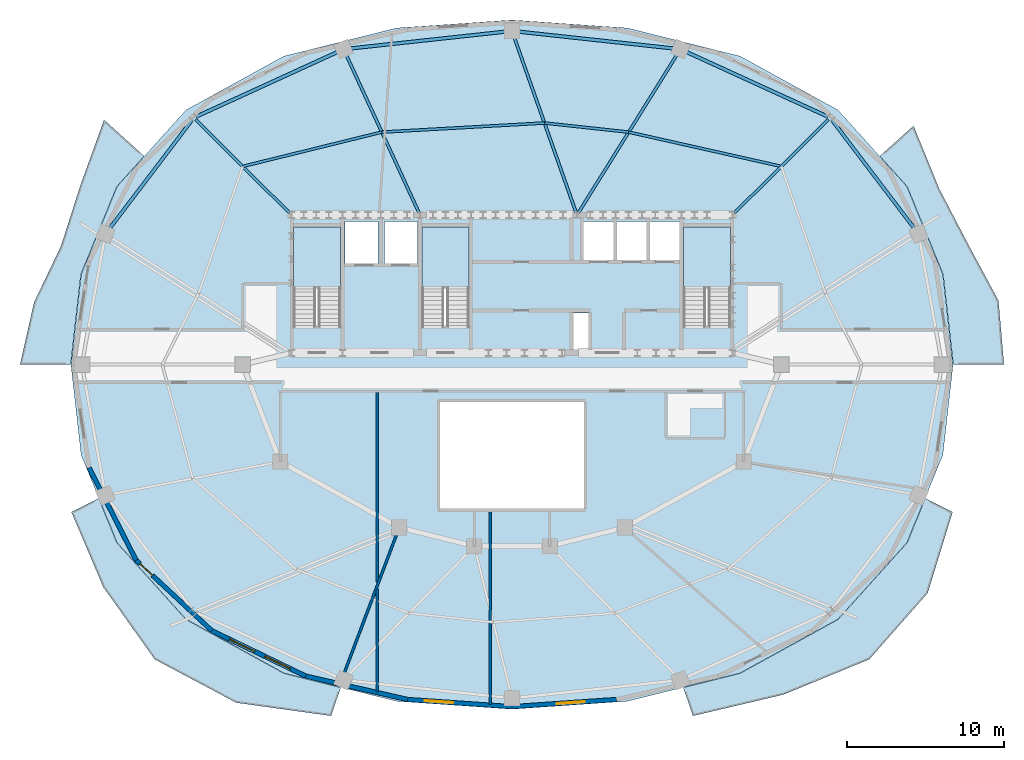
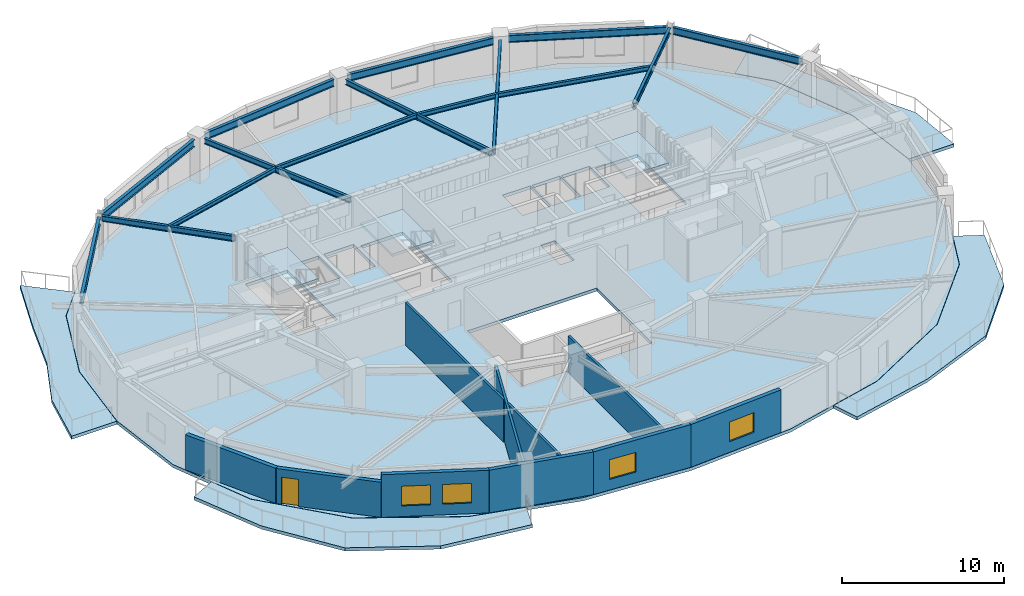
# One storey, part 3 of 11: 15 beams, 10 walls, 8 slabs, 4 windows, 1 door, 5 openings, 3 elements without a shape of their own.
"""IFC4 building model written with IfcOpenShell, lengths in metres."""

from ifc_helpers import new_model, si_unit, direction, frame, frame_2d, origin, origin_2d, place, context, subcontext, project, spatial, polyline, rectangle, i_section, outline, extrude, material, layer, layer_set, material_profile, profile_set, type_object, element, fill, aggregate, save


model = new_model("IFC4")

# Units and contexts
model_context = context("Model", 3, precision=1e-05, world=origin(), true_north=direction((0.0, 1.0)))
body_context = subcontext(model_context, "Body", "Model", "MODEL_VIEW")
ifc_project = project(units=[si_unit("LENGTHUNIT", "METRE"), si_unit("AREAUNIT", "SQUARE_METRE"), si_unit("VOLUMEUNIT", "CUBIC_METRE"), si_unit("PLANEANGLEUNIT", "RADIAN"), si_unit("MASSUNIT", "GRAM", prefix="KILO")], contexts=[model_context])

# Site, building, storey
site_placement = place(None, origin())
site = spatial("IfcSite", under=ifc_project, at=site_placement, CompositionType="ELEMENT")
building_placement = place(site_placement, origin())
building = spatial("IfcBuilding", under=site, at=building_placement, Name="Haldorwick Loom Tower", CompositionType="ELEMENT")
storey_placement = place(building_placement, frame((0.0, 0.0, 227.10009765625)))
storey = spatial("IfcBuildingStorey", under=building, at=storey_placement, Name="L61", CompositionType="ELEMENT", Elevation=227.10009765625)

# Beams
ifc_material_1 = material(Name="Steel CSA G40.21 350W", Category="steel")
ifc_material_profile_1 = material_profile(ifc_material_1, i_section(OverallWidth=0.166015625, OverallDepth=0.31298828125, WebThickness=0.006591796875, FlangeThickness=0.01123046875, at=origin_2d()), Name="W310X45", Category="steel")
ifc_profile_set_1 = profile_set([ifc_material_profile_1], Name="Steel CSA G40.21 350W")
beam_type_1 = type_object("IfcBeamType", Name="STR-BM-J310", PredefinedType="JOIST", material=ifc_profile_set_1)
beam_1_placement = place(storey_placement, frame((53.19384765625, 38.657470703125, 3.053466796875), z_axis=(-0.975700785876, 0.219107225898, 0.0), x_axis=(-0.219107225898, -0.975700785876, 0.0)))
element("IfcBeam", 1, at=beam_1_placement, inside=storey, type_object=beam_type_1, Name="L61 Mid-Bay Secondary Joist 3", PredefinedType="JOIST", context=body_context, shape_type="SweptSolid", body=[
    extrude(i_section(OverallWidth=0.166015625, OverallDepth=0.31298828125, WebThickness=0.006591796875, FlangeThickness=0.01123046875, at=origin_2d()), origin(), (0.0, 0.0, 1.0), 9.98486328125),
])
beam_2_placement = place(storey_placement, frame((43.45166015625, 40.84521484375, 3.053466796875), z_axis=(-0.994187082722, 0.107666357549, 0.0), x_axis=(-0.107666357549, -0.994187082722, 0.0)))
element("IfcBeam", 2, at=beam_2_placement, inside=storey, type_object=beam_type_1, Name="L61 Mid-Bay Secondary Joist 4", PredefinedType="JOIST", context=body_context, shape_type="SweptSolid", body=[
    extrude(i_section(OverallWidth=0.166015625, OverallDepth=0.31298828125, WebThickness=0.006591796875, FlangeThickness=0.01123046875, at=origin_2d()), origin(), (0.0, 0.0, 1.0), 5.408203125),
])
beam_3_placement = place(storey_placement, frame((38.074951171875, 41.427490234375, 3.053466796875), z_axis=(-0.998432354117, -0.05597172726, 0.0), x_axis=(0.05597172726, -0.998432354117, 0.0)))
element("IfcBeam", 3, at=beam_3_placement, inside=storey, type_object=beam_type_1, Name="L61 Mid-Bay Secondary Joist 5", PredefinedType="JOIST", context=body_context, shape_type="SweptSolid", body=[
    extrude(i_section(OverallWidth=0.166015625, OverallDepth=0.31298828125, WebThickness=0.006591796875, FlangeThickness=0.01123046875, at=origin_2d()), origin(), (0.0, 0.0, 1.0), 10.403076171875),
])
beam_4_placement = place(storey_placement, frame((27.688232421875, 40.84521484375, 3.053466796875), z_axis=(-0.970979703726, -0.239161901132, 0.0), x_axis=(0.239161901132, -0.970979703726, 0.0)))
element("IfcBeam", 4, at=beam_4_placement, inside=storey, type_object=beam_type_1, Name="L61 Mid-Bay Secondary Joist 6", PredefinedType="JOIST", context=body_context, shape_type="SweptSolid", body=[
    extrude(i_section(OverallWidth=0.166015625, OverallDepth=0.31298828125, WebThickness=0.006591796875, FlangeThickness=0.01123046875, at=origin_2d()), origin(), (0.0, 0.0, 1.0), 9.1474609375),
])
ifc_material_profile_2 = material_profile(ifc_material_1, i_section(OverallWidth=0.179931640625, OverallDepth=0.4130859375, WebThickness=0.009765625, FlangeThickness=0.01611328125, at=origin_2d()), Name="W410X74", Category="steel")
ifc_profile_set_2 = profile_set([ifc_material_profile_2], Name="Steel CSA G40.21 350W")
beam_type_2 = type_object("IfcBeamType", Name="STR-BM-J410", PredefinedType="JOIST", material=ifc_profile_set_2)
beam_5_placement = place(storey_placement, frame((50.1962890625, 35.675537109375, 3.00341796875), z_axis=(0.708952100153, 0.70525663392, 0.0), x_axis=(-0.70525663392, 0.708952100153, 0.0)))
element("IfcBeam", 5, at=beam_5_placement, inside=storey, type_object=beam_type_2, Name="L61 Radial Floor Girder 3", PredefinedType="JOIST", context=body_context, shape_type="SweptSolid", body=[
    extrude(i_section(OverallWidth=0.179931640625, OverallDepth=0.4130859375, WebThickness=0.009765625, FlangeThickness=0.01611328125, at=origin_2d()), origin(), (0.0, 0.0, 1.0), 8.456298828125),
])
beam_6_placement = place(storey_placement, frame((40.244140625, 35.700927734375, 3.00341796875), z_axis=(0.529096919652, 0.848561400027, 0.0), x_axis=(-0.848561400027, 0.529096919652, 0.0)))
element("IfcBeam", 6, at=beam_6_placement, inside=storey, type_object=beam_type_2, Name="L61 Radial Floor Girder 4", PredefinedType="JOIST", context=body_context, shape_type="SweptSolid", body=[
    extrude(i_section(OverallWidth=0.179931640625, OverallDepth=0.4130859375, WebThickness=0.009765625, FlangeThickness=0.01611328125, at=origin_2d()), origin(), (0.0, 0.0, 1.0), 11.827880859375),
])
beam_7_placement = place(storey_placement, frame((40.0908203125, 35.7177734375, 3.00341796875), z_axis=(-0.332900112782, 0.942962096221, 0.0), x_axis=(-0.942962096221, -0.332900112782, 0.0)))
element("IfcBeam", 7, at=beam_7_placement, inside=storey, type_object=beam_type_2, Name="L61 Radial Floor Girder 5", PredefinedType="JOIST", context=body_context, shape_type="SweptSolid", body=[
    extrude(i_section(OverallWidth=0.179931640625, OverallDepth=0.4130859375, WebThickness=0.009765625, FlangeThickness=0.01611328125, at=origin_2d()), origin(), (0.0, 0.0, 1.0), 11.813232421875),
])
beam_8_placement = place(storey_placement, frame((30.055419921875, 35.711669921875, 3.00341796875), z_axis=(-0.418729078283, 0.908111204094, 0.0), x_axis=(-0.908111204094, -0.418729078283, 0.0)))
element("IfcBeam", 8, at=beam_8_placement, inside=storey, type_object=beam_type_2, Name="L61 Radial Floor Girder 6", PredefinedType="JOIST", context=body_context, shape_type="SweptSolid", body=[
    extrude(i_section(OverallWidth=0.179931640625, OverallDepth=0.4130859375, WebThickness=0.009765625, FlangeThickness=0.01611328125, at=origin_2d()), origin(), (0.0, 0.0, 1.0), 11.00927734375),
])
beam_9_placement = place(storey_placement, frame((21.8037109375, 35.675537109375, 3.00341796875), z_axis=(-0.708952100153, 0.70525663392, 0.0), x_axis=(-0.70525663392, -0.708952100153, 0.0)))
element("IfcBeam", 9, at=beam_9_placement, inside=storey, type_object=beam_type_2, Name="L61 Radial Floor Girder 7", PredefinedType="JOIST", context=body_context, shape_type="SweptSolid", body=[
    extrude(i_section(OverallWidth=0.179931640625, OverallDepth=0.4130859375, WebThickness=0.009765625, FlangeThickness=0.01611328125, at=origin_2d()), origin(), (0.0, 0.0, 1.0), 8.456298828125),
])
ifc_material_profile_3 = material_profile(ifc_material_1, i_section(OverallWidth=0.2119140625, OverallDepth=0.5439453125, WebThickness=0.01318359375, FlangeThickness=0.021240234375, at=origin_2d()), Name="W530X123", Category="steel")
ifc_profile_set_3 = profile_set([ifc_material_profile_3], Name="Steel CSA G40.21 350W")
beam_type_3 = type_object("IfcBeamType", Name="STR-BM-SP530", PredefinedType="SPANDREL", material=ifc_profile_set_3)
beam_10_placement = place(storey_placement, frame((61.673583984375, 34.720703125, 2.93798828125), z_axis=(-0.605253156055, 0.796033050247, 0.0), x_axis=(-0.796033050247, -0.605253156055, 0.0)))
element("IfcBeam", 10, at=beam_10_placement, inside=storey, type_object=beam_type_3, Name="L61 Perimeter Spandrel 2", PredefinedType="SPANDREL", context=body_context, shape_type="SweptSolid", body=[
    extrude(i_section(OverallWidth=0.2119140625, OverallDepth=0.5439453125, WebThickness=0.01318359375, FlangeThickness=0.021240234375, at=origin_2d()), origin(), (0.0, 0.0, 1.0), 8.671142578125),
])
beam_11_placement = place(storey_placement, frame((56.15576171875, 41.839111328125, 2.93798828125), z_axis=(-0.909350907904, 0.41602995841, 0.0), x_axis=(-0.41602995841, -0.909350907904, 0.0)))
element("IfcBeam", 11, at=beam_11_placement, inside=storey, type_object=beam_type_3, Name="L61 Perimeter Spandrel 3", PredefinedType="SPANDREL", context=body_context, shape_type="SweptSolid", body=[
    extrude(i_section(OverallWidth=0.2119140625, OverallDepth=0.5439453125, WebThickness=0.01318359375, FlangeThickness=0.021240234375, at=origin_2d()), origin(), (0.0, 0.0, 1.0), 9.86474609375),
])
for number, where, z_axis, x_axis, name in (
    (12, (46.28125, 46.191650390625, 2.93798828125), (-0.994187378218, 0.107663628917, 0.0), (-0.107663628917, -0.994187378218, 0.0), "L61 Perimeter Spandrel 4"),
    (13, (35.52783203125, 47.25390625, 2.93798828125), (-0.994187378218, -0.107663628917, 0.0), (0.107663628917, -0.994187378218, 0.0), "L61 Perimeter Spandrel 5"),
):
    element("IfcBeam", number, at=place(storey_placement, frame(where, z_axis=z_axis, x_axis=x_axis)), inside=storey, type_object=beam_type_3, Name=name, PredefinedType="SPANDREL", context=body_context, shape_type="SweptSolid", body=[
        extrude(i_section(OverallWidth=0.2119140625, OverallDepth=0.5439453125, WebThickness=0.01318359375, FlangeThickness=0.021240234375, at=origin_2d()), origin(), (0.0, 0.0, 1.0), 9.866455078125),
    ])
beam_12_placement = place(storey_placement, frame((24.814697265625, 45.943115234375, 2.93798828125), z_axis=(-0.909350907904, -0.41602995841, 0.0), x_axis=(0.41602995841, -0.909350907904, 0.0)))
element("IfcBeam", 14, at=beam_12_placement, inside=storey, type_object=beam_type_3, Name="L61 Perimeter Spandrel 6", PredefinedType="SPANDREL", context=body_context, shape_type="SweptSolid", body=[
    extrude(i_section(OverallWidth=0.2119140625, OverallDepth=0.5439453125, WebThickness=0.01318359375, FlangeThickness=0.021240234375, at=origin_2d()), origin(), (0.0, 0.0, 1.0), 9.86474609375),
])
beam_13_placement = place(storey_placement, frame((15.57470703125, 41.623291015625, 2.93798828125), z_axis=(-0.605253156055, -0.796033050247, 0.0), x_axis=(0.796033050247, -0.605253156055, 0.0)))
element("IfcBeam", 15, at=beam_13_placement, inside=storey, type_object=beam_type_3, Name="L61 Perimeter Spandrel 7", PredefinedType="SPANDREL", context=body_context, shape_type="SweptSolid", body=[
    extrude(i_section(OverallWidth=0.2119140625, OverallDepth=0.5439453125, WebThickness=0.01318359375, FlangeThickness=0.021240234375, at=origin_2d()), origin(), (0.0, 0.0, 1.0), 8.671142578125),
])

# Slabs
ifc_material_2 = material(Name="Concrete C40 (40 MPa)", Category="concrete")
ifc_layer_1 = layer(ifc_material_2, 0.239990234375, Name="Concrete C40 (40 MPa)", Category="concrete")
ifc_layer_set_1 = layer_set([ifc_layer_1], Name="Concrete C40 (40 MPa)")
slab_type_1 = type_object("IfcSlabType", Name="STR-SLB-BAL240", PredefinedType="FLOOR", material=ifc_layer_set_1)
slab_1_placement = place(storey_placement, frame((0.0, 0.0, -0.239990234375)))
element("IfcSlab", 16, at=slab_1_placement, inside=storey, type_object=slab_type_1, Name="L61 Sinusoidal Balcony Terrace BAL_SE", PredefinedType="FLOOR", context=body_context, shape_type="SweptSolid", body=[
    extrude(outline(polyline([(62.392578125, 17.462646484375), (61.229736328125, 14.62060546875), (61.229248046875, 14.619384765625), (61.228515625, 14.6181640625), (61.227783203125, 14.6171875), (61.22705078125, 14.6162109375), (56.82373046875, 9.72998046875), (56.82275390625, 9.72900390625), (56.8212890625, 9.727783203125), (56.81982421875, 9.72705078125), (50.565673828125, 6.287109375), (50.564453125, 6.286376953125), (50.563232421875, 6.285888671875), (50.56201171875, 6.285400390625), (46.935791015625, 5.380126953125), (47.552734375, 3.570068359375), (53.33056640625, 4.9296875), (58.8134765625, 7.178955078125), (62.54052734375, 11.405029296875), (64.133056640625, 16.580810546875), (62.392578125, 17.462646484375)])), origin(), (0.0, 0.0, 1.0), 0.239990234375),
])
slab_2_placement = place(storey_placement, frame((0.0, 0.0, -0.239990234375)))
element("IfcSlab", 17, at=slab_2_placement, inside=storey, type_object=slab_type_1, Name="L61 Sinusoidal Balcony Terrace BAL_SW", PredefinedType="FLOOR", context=body_context, shape_type="SweptSolid", body=[
    extrude(outline(polyline([(25.064208984375, 5.380126953125), (21.43798828125, 6.285400390625), (21.436767578125, 6.285888671875), (21.435546875, 6.286376953125), (21.434326171875, 6.287109375), (15.18017578125, 9.72705078125), (15.1787109375, 9.727783203125), (15.17724609375, 9.72900390625), (15.17626953125, 9.72998046875), (10.77294921875, 14.6162109375), (10.772216796875, 14.6171875), (10.771484375, 14.6181640625), (10.770751953125, 14.619384765625), (10.770263671875, 14.62060546875), (9.607421875, 17.462646484375), (7.866943359375, 16.580810546875), (9.905517578125, 11.78662109375), (13.1865234375, 7.178955078125), (18.397705078125, 4.4091796875), (24.447265625, 3.570068359375), (25.064208984375, 5.380126953125)])), origin(), (0.0, 0.0, 1.0), 0.239990234375),
])
slab_3_placement = place(storey_placement, frame((0.0, 0.0, -0.239990234375)))
element("IfcSlab", 18, at=slab_3_placement, inside=storey, type_object=slab_type_1, Name="L61 Sinusoidal Balcony Terrace BAL_WNW", PredefinedType="FLOOR", context=body_context, shape_type="SweptSolid", body=[
    extrude(outline(polyline([(7.818603515625, 26.0), (7.818603515625, 26.001708984375), (8.472412109375, 31.760986328125), (8.47265625, 31.762451171875), (8.472900390625, 31.763916015625), (8.473388671875, 31.76513671875), (10.770263671875, 37.37939453125), (10.770751953125, 37.380615234375), (10.771484375, 37.3818359375), (10.772216796875, 37.3828125), (10.77294921875, 37.3837890625), (12.51318359375, 39.315185546875), (9.95068359375, 41.6318359375), (8.429443359375, 37.416015625), (7.20166015625, 33.568603515625), (5.4833984375, 29.979736328125), (4.58349609375, 26.0), (7.818603515625, 26.0)])), origin(), (0.0, 0.0, 1.0), 0.239990234375),
])
slab_4_placement = place(storey_placement, frame((0.0, 0.0, -0.239990234375)))
element("IfcSlab", 19, at=slab_4_placement, inside=storey, type_object=slab_type_1, Name="L61 Sinusoidal Balcony Terrace BAL_ENE", PredefinedType="FLOOR", context=body_context, shape_type="SweptSolid", body=[
    extrude(outline(polyline([(59.487060546875, 39.314697265625), (61.22705078125, 37.3837890625), (61.227783203125, 37.3828125), (61.228515625, 37.3818359375), (61.229248046875, 37.380615234375), (61.229736328125, 37.37939453125), (63.526611328125, 31.76513671875), (63.527099609375, 31.763916015625), (63.52734375, 31.762451171875), (63.527587890625, 31.760986328125), (64.181396484375, 26.001708984375), (64.181396484375, 26.0), (67.41650390625, 26.0), (67.06396484375, 30.090576171875), (65.116943359375, 33.701171875), (63.281494140625, 37.227294921875), (61.640380859375, 41.251708984375), (59.487060546875, 39.314697265625)])), origin(), (0.0, 0.0, 1.0), 0.239990234375),
])

# Stair, slab
stair_type = type_object("IfcStairType", Name="STR-STR-CORE", PredefinedType="HALF_TURN_STAIR", material=ifc_material_2)
stair_1_placement = place(storey_placement, origin())
stair_1 = element("IfcStair", 20, at=stair_1_placement, inside=storey, type_object=stair_type, Name="L61 Exit Stair ST-01", PredefinedType="HALF_TURN_STAIR")
ifc_layer_2 = layer(ifc_material_2, 0.199951171875, Name="Concrete C40 (40 MPa)", Category="concrete")
ifc_layer_set_2 = layer_set([ifc_layer_2], Name="Concrete C40 (40 MPa)")
slab_type_2 = type_object("IfcSlabType", Name="STR-SLB-LAND200", PredefinedType="LANDING", material=ifc_layer_set_2)
slab_5_placement = place(storey_placement, frame((0.0, 0.0, 1.52490234375)))
slab_5 = element("IfcSlab", 21, at=slab_5_placement, type_object=slab_type_2, Name="ST-01 landing 1", PredefinedType="LANDING", context=body_context, shape_type="SweptSolid", body=[
    extrude(outline(polyline([(25.050048828125, 30.919921875), (25.050048828125, 34.800048828125), (22.050048828125, 34.800048828125), (22.050048828125, 30.919921875), (25.050048828125, 30.919921875)])), origin(), (0.0, 0.0, 1.0), 0.199951171875),
])
aggregate(stair_1, [slab_5])

stair_2_placement = place(storey_placement, origin())
stair_2 = element("IfcStair", 22, at=stair_2_placement, inside=storey, type_object=stair_type, Name="L61 Exit Stair ST-02", PredefinedType="HALF_TURN_STAIR")
slab_6_placement = place(storey_placement, frame((0.0, 0.0, 1.52490234375)))
slab_6 = element("IfcSlab", 23, at=slab_6_placement, type_object=slab_type_2, Name="ST-02 landing 1", PredefinedType="LANDING", context=body_context, shape_type="SweptSolid", body=[
    extrude(outline(polyline([(49.949951171875, 30.919921875), (49.949951171875, 34.800048828125), (46.949951171875, 34.800048828125), (46.949951171875, 30.919921875), (49.949951171875, 30.919921875)])), origin(), (0.0, 0.0, 1.0), 0.199951171875),
])
aggregate(stair_2, [slab_6])

stair_3_placement = place(storey_placement, origin())
stair_3 = element("IfcStair", 24, at=stair_3_placement, inside=storey, type_object=stair_type, Name="L61 Exit Stair ST-03", PredefinedType="HALF_TURN_STAIR")
slab_7_placement = place(storey_placement, frame((0.0, 0.0, 1.52490234375)))
slab_7 = element("IfcSlab", 25, at=slab_7_placement, type_object=slab_type_2, Name="ST-03 landing 1", PredefinedType="LANDING", context=body_context, shape_type="SweptSolid", body=[
    extrude(outline(polyline([(33.25, 30.919921875), (33.25, 34.800048828125), (30.25, 34.800048828125), (30.25, 30.919921875), (33.25, 30.919921875)])), origin(), (0.0, 0.0, 1.0), 0.199951171875),
])
aggregate(stair_3, [slab_7])

# Slab
ifc_layer_3 = layer(ifc_material_2, 0.239990234375, Name="Concrete C40 (40 MPa)", Category="concrete")
ifc_layer_set_3 = layer_set([ifc_layer_3], Name="Concrete C40 (40 MPa)")
slab_type_3 = type_object("IfcSlabType", Name="STR-SLB-RES240", PredefinedType="FLOOR", material=ifc_layer_set_3)
slab_8_placement = place(storey_placement, frame((0.0, 0.0, -0.239990234375)))
element("IfcSlab", 26, at=slab_8_placement, inside=storey, type_object=slab_type_3, Name="L61 Residential Structural Floor Slab", PredefinedType="FLOOR", context=body_context, shape_type="SweptSolid", body=[
    extrude(outline(polyline([(56.812744140625, 9.739990234375), (61.2158203125, 14.626220703125), (63.5126953125, 20.240478515625), (64.16650390625, 26.0), (63.5126953125, 31.759521484375), (61.2158203125, 37.373779296875), (56.812744140625, 42.260009765625), (50.558349609375, 45.699951171875), (43.3720703125, 47.494384765625), (36.0, 48.0048828125), (28.6279296875, 47.494384765625), (21.441650390625, 45.699951171875), (15.187255859375, 42.260009765625), (10.7841796875, 37.373779296875), (8.4873046875, 31.759521484375), (7.83349609375, 26.0), (8.4873046875, 20.240478515625), (10.7841796875, 14.626220703125), (15.187255859375, 9.739990234375), (21.441650390625, 6.300048828125), (28.6279296875, 4.505615234375), (36.0, 3.9951171875), (43.3720703125, 4.505615234375), (50.558349609375, 6.300048828125), (56.812744140625, 9.739990234375)]), holes=[polyline([(31.39990234375, 16.800048828125), (31.39990234375, 23.60009765625), (40.60009765625, 23.60009765625), (40.60009765625, 16.800048828125), (31.39990234375, 16.800048828125)]), polyline([(40.89990234375, 26.89990234375), (39.89990234375, 26.89990234375), (39.89990234375, 29.300048828125), (40.89990234375, 29.300048828125), (40.89990234375, 26.89990234375)]), polyline([(23.6201171875, 28.39990234375), (22.050048828125, 28.39990234375), (22.050048828125, 34.800048828125), (25.050048828125, 34.800048828125), (25.050048828125, 28.639892578125), (23.6201171875, 28.639892578125), (23.6201171875, 28.39990234375)]), polyline([(30.25, 28.39990234375), (30.25, 34.800048828125), (33.25, 34.800048828125), (33.25, 28.639892578125), (31.820068359375, 28.639892578125), (31.820068359375, 28.39990234375), (30.25, 28.39990234375)]), polyline([(46.949951171875, 28.39990234375), (46.949951171875, 34.800048828125), (49.949951171875, 34.800048828125), (49.949951171875, 28.639892578125), (48.52001953125, 28.639892578125), (48.52001953125, 28.39990234375), (46.949951171875, 28.39990234375)]), polyline([(27.449951171875, 32.449951171875), (25.35009765625, 32.449951171875), (25.35009765625, 35.14990234375), (27.449951171875, 35.14990234375), (27.449951171875, 32.449951171875)]), polyline([(29.949951171875, 32.449951171875), (27.85009765625, 32.449951171875), (27.85009765625, 35.14990234375), (29.949951171875, 35.14990234375), (29.949951171875, 32.449951171875)]), polyline([(42.550048828125, 32.64990234375), (40.550048828125, 32.64990234375), (40.550048828125, 35.14990234375), (42.550048828125, 35.14990234375), (42.550048828125, 32.64990234375)]), polyline([(42.64990234375, 32.64990234375), (42.64990234375, 35.14990234375), (44.64990234375, 35.14990234375), (44.64990234375, 32.64990234375), (42.64990234375, 32.64990234375)]), polyline([(44.75, 32.64990234375), (44.75, 35.14990234375), (46.75, 35.14990234375), (46.75, 32.64990234375), (44.75, 32.64990234375)])]), origin(), (0.0, 0.0, 1.0), 0.239990234375),
])

# Wall
ifc_material_3 = material(Name="Pressed Clay Face Brick and Insulated Masonry Backup Assembly", Category="masonry")
ifc_layer_4 = layer(ifc_material_3, 0.280029296875, Name="Pressed Clay Face Brick and Insulated Masonry Backup Assembly", Category="masonry")
ifc_layer_set_4 = layer_set([ifc_layer_4], Name="Pressed Clay Face Brick and Insulated Masonry Backup Assembly")
wall_type_1 = type_object("IfcWallType", Name="ARC-WL-EXT280", PredefinedType="STANDARD", material=ifc_layer_set_4)
wall_1_placement = place(storey_placement, frame((8.995849609375, 19.415283203125, 0.0), z_axis=(0.0, 0.0, 1.0), x_axis=(0.453032066879, -0.89149422117, 0.0)))
element("IfcWall", 27, at=wall_1_placement, inside=storey, type_object=wall_type_1, Name="L61 Brick Pier and Spandrel Wall 14", PredefinedType="STANDARD", context=body_context, shape_type="SweptSolid", body=[
    extrude(rectangle(XDim=6.618896484375, YDim=0.280029296875, at=frame_2d((3.3095703125, 0.0))), origin(), (0.0, 0.0, 1.0), 2.640869140625),
])

# Wall, opening, door
wall_2_placement = place(storey_placement, frame((11.994384765625, 13.5146484375, 0.0), z_axis=(0.0, 0.0, 1.0), x_axis=(0.731833707499, -0.681483253329, 0.0)))
wall_2 = element("IfcWall", 28, at=wall_2_placement, inside=storey, type_object=wall_type_1, Name="L61 Brick Pier and Spandrel Wall 15", PredefinedType="STANDARD", context=body_context, shape_type="SweptSolid", body=[
    extrude(rectangle(XDim=6.61865234375, YDim=0.280029296875, at=frame_2d((3.309326171875, 0.0))), origin(), (0.0, 0.0, 1.0), 2.640869140625),
])
opening_1_placement = place(wall_2_placement, frame((0.340087890625, 0.0, 0.0)))
opening_1 = element("IfcOpeningElement", 29, at=opening_1_placement, cuts=wall_2, Name="Opening D-BL11", PredefinedType="OPENING", context=body_context, shape_type="SweptSolid", body=[
    extrude(rectangle(XDim=1.080078125, YDim=2.0400390625, at=frame_2d((0.5400390625, 1.02001953125))), frame((0.0, 0.14990234375, 0.0), z_axis=(0.0, -1.0, 0.0), x_axis=(1.0, 0.0, 0.0)), (0.0, 0.0, 1.0), 0.300048828125),
])
ifc_material_4 = material(Name="Thermally Broken Anodized Aluminium Curtain Wall Framing", Category="aluminium")
door_type = type_object("IfcDoorType", Name="ARC-DR-BAL110", OperationType="NOTDEFINED", PredefinedType="DOOR", material=ifc_material_4)
door_placement = place(opening_1_placement, origin())
door = element("IfcDoor", 30, at=door_placement, inside=storey, type_object=door_type, Name="L61 Outdoor Terrace Door SLB-L61-BAL_SW", OperationType="SINGLE_SWING_LEFT", OverallHeight=2.0400390625, OverallWidth=1.080078125, PredefinedType="DOOR", context=body_context, shape_type="SweptSolid", body=[
    extrude(rectangle(XDim=1.080078125, YDim=2.0400390625, at=frame_2d((0.5400390625, 1.02001953125))), frame((0.0, 0.02490234375, 0.0), z_axis=(0.0, -1.0, 0.0), x_axis=(1.0, 0.0, 0.0)), (0.0, 0.0, 1.0), 0.050048828125),
])
fill(opening_1, door)

# Wall, openings, windows
wall_3_placement = place(storey_placement, frame((16.838134765625, 9.004150390625, 0.0), z_axis=(0.0, 0.0, 1.0), x_axis=(0.900371236029, -0.435122554381, 0.0)))
wall_3 = element("IfcWall", 31, at=wall_3_placement, inside=storey, type_object=wall_type_1, Name="L61 Brick Pier and Spandrel Wall 16", PredefinedType="STANDARD", context=body_context, shape_type="SweptSolid", body=[
    extrude(rectangle(XDim=6.6533203125, YDim=0.280029296875, at=frame_2d((3.32666015625, 0.0))), origin(), (0.0, 0.0, 1.0), 3.2099609375),
])
opening_2_placement = place(wall_3_placement, frame((1.234375, 0.0, 0.800048828125)))
opening_2 = element("IfcOpeningElement", 32, at=opening_2_placement, cuts=wall_3, Name="Opening W-01", PredefinedType="OPENING", context=body_context, shape_type="SweptSolid", body=[
    extrude(rectangle(XDim=1.800048828125, YDim=1.47998046875, at=frame_2d((0.89990234375, 0.739990234375))), frame((0.0, 0.14990234375, 0.0), z_axis=(0.0, -1.0, 0.0), x_axis=(1.0, 0.0, 0.0)), (0.0, 0.0, 1.0), 0.300048828125),
])
opening_3_placement = place(wall_3_placement, frame((3.75732421875, 0.0, 0.800048828125)))
opening_3 = element("IfcOpeningElement", 33, at=opening_3_placement, cuts=wall_3, Name="Opening W-01", PredefinedType="OPENING", context=body_context, shape_type="SweptSolid", body=[
    extrude(rectangle(XDim=1.800048828125, YDim=1.47998046875, at=frame_2d((0.89990234375, 0.739990234375))), frame((0.0, 0.14990234375, 0.0), z_axis=(0.0, -1.0, 0.0), x_axis=(1.0, 0.0, 0.0)), (0.0, 0.0, 1.0), 0.300048828125),
])
ifc_material_5 = material(Name="Triple-Glazed Low-E Argon Insulated Glazing Unit", Category="glass")
window_type = type_object("IfcWindowType", Name="ARC-WIN-W180", PartitioningType="SINGLE_PANEL", PredefinedType="WINDOW", material=ifc_material_5)
window_1_placement = place(opening_2_placement, origin())
window_1 = element("IfcWindow", 34, at=window_1_placement, inside=storey, type_object=window_type, Name="L61 Deep-Set Zone 7A Window 16", OverallHeight=1.47998046875, OverallWidth=1.800048828125, PartitioningType="SINGLE_PANEL", PredefinedType="WINDOW", context=body_context, shape_type="SweptSolid", body=[
    extrude(rectangle(XDim=1.800048828125, YDim=1.47998046875, at=frame_2d((0.89990234375, 0.739990234375))), frame((0.0, 0.030029296875, 0.0), z_axis=(0.0, -1.0, 0.0), x_axis=(1.0, 0.0, 0.0)), (0.0, 0.0, 1.0), 0.06005859375),
])
fill(opening_2, window_1)
window_2_placement = place(opening_3_placement, origin())
window_2 = element("IfcWindow", 35, at=window_2_placement, inside=storey, type_object=window_type, Name="L61 Deep-Set Zone 7A Window 16", OverallHeight=1.47998046875, OverallWidth=1.800048828125, PartitioningType="SINGLE_PANEL", PredefinedType="WINDOW", context=body_context, shape_type="SweptSolid", body=[
    extrude(rectangle(XDim=1.800048828125, YDim=1.47998046875, at=frame_2d((0.89990234375, 0.739990234375))), frame((0.0, 0.030029296875, 0.0), z_axis=(0.0, -1.0, 0.0), x_axis=(1.0, 0.0, 0.0)), (0.0, 0.0, 1.0), 0.06005859375),
])
fill(opening_3, window_2)

# Wall
wall_4_placement = place(storey_placement, frame((22.82861328125, 6.109130859375, 0.0), z_axis=(0.0, 0.0, 1.0), x_axis=(0.974557343474, -0.224138315065, 0.0)))
element("IfcWall", 36, at=wall_4_placement, inside=storey, type_object=wall_type_1, Name="L61 Brick Pier and Spandrel Wall 17", PredefinedType="STANDARD", context=body_context, shape_type="SweptSolid", body=[
    extrude(rectangle(XDim=6.676025390625, YDim=0.280029296875, at=frame_2d((3.337890625, 0.0))), origin(), (0.0, 0.0, 1.0), 3.2099609375),
])

# Wall, opening, window
wall_5_placement = place(storey_placement, frame((29.334716796875, 4.61279296875, 0.0), z_axis=(0.0, 0.0, 1.0), x_axis=(0.99764992135, -0.068517402386, 0.0)))
wall_5 = element("IfcWall", 37, at=wall_5_placement, inside=storey, type_object=wall_type_1, Name="L61 Brick Pier and Spandrel Wall 18", PredefinedType="STANDARD", context=body_context, shape_type="SweptSolid", body=[
    extrude(rectangle(XDim=6.680908203125, YDim=0.280029296875, at=frame_2d((3.34033203125, 0.0))), origin(), (0.0, 0.0, 1.0), 3.2099609375),
])
opening_4_placement = place(wall_5_placement, frame((1.104248046875, 0.0, 0.800048828125)))
opening_4 = element("IfcOpeningElement", 38, at=opening_4_placement, cuts=wall_5, Name="Opening W-01", PredefinedType="OPENING", context=body_context, shape_type="SweptSolid", body=[
    extrude(rectangle(XDim=1.800048828125, YDim=1.47998046875, at=frame_2d((0.89990234375, 0.739990234375))), frame((0.0, 0.14990234375, 0.0), z_axis=(0.0, -1.0, 0.0), x_axis=(1.0, 0.0, 0.0)), (0.0, 0.0, 1.0), 0.300048828125),
])
window_3_placement = place(opening_4_placement, origin())
window_3 = element("IfcWindow", 39, at=window_3_placement, inside=storey, type_object=window_type, Name="L61 Deep-Set Zone 7A Window 18", OverallHeight=1.47998046875, OverallWidth=1.800048828125, PartitioningType="SINGLE_PANEL", PredefinedType="WINDOW", context=body_context, shape_type="SweptSolid", body=[
    extrude(rectangle(XDim=1.800048828125, YDim=1.47998046875, at=frame_2d((0.89990234375, 0.739990234375))), frame((0.0, 0.030029296875, 0.0), z_axis=(0.0, -1.0, 0.0), x_axis=(1.0, 0.0, 0.0)), (0.0, 0.0, 1.0), 0.06005859375),
])
fill(opening_4, window_3)

wall_6_placement = place(storey_placement, frame((36.0, 4.155029296875, 0.0), z_axis=(0.0, 0.0, 1.0), x_axis=(0.99764992135, 0.068517402386, 0.0)))
wall_6 = element("IfcWall", 40, at=wall_6_placement, inside=storey, type_object=wall_type_1, Name="L61 Brick Pier and Spandrel Wall 19", PredefinedType="STANDARD", context=body_context, shape_type="SweptSolid", body=[
    extrude(rectangle(XDim=6.680908203125, YDim=0.280029296875, at=frame_2d((3.34033203125, 0.0))), origin(), (0.0, 0.0, 1.0), 3.2099609375),
])
opening_5_placement = place(wall_6_placement, frame((2.860595703125, 0.0, 0.800048828125)))
opening_5 = element("IfcOpeningElement", 41, at=opening_5_placement, cuts=wall_6, Name="Opening W-01", PredefinedType="OPENING", context=body_context, shape_type="SweptSolid", body=[
    extrude(rectangle(XDim=1.800048828125, YDim=1.47998046875, at=frame_2d((0.89990234375, 0.739990234375))), frame((0.0, 0.14990234375, 0.0), z_axis=(0.0, -1.0, 0.0), x_axis=(1.0, 0.0, 0.0)), (0.0, 0.0, 1.0), 0.300048828125),
])
window_4_placement = place(opening_5_placement, origin())
window_4 = element("IfcWindow", 42, at=window_4_placement, inside=storey, type_object=window_type, Name="L61 Deep-Set Zone 7A Window 19", OverallHeight=1.47998046875, OverallWidth=1.800048828125, PartitioningType="SINGLE_PANEL", PredefinedType="WINDOW", context=body_context, shape_type="SweptSolid", body=[
    extrude(rectangle(XDim=1.800048828125, YDim=1.47998046875, at=frame_2d((0.89990234375, 0.739990234375))), frame((0.0, 0.030029296875, 0.0), z_axis=(0.0, -1.0, 0.0), x_axis=(1.0, 0.0, 0.0)), (0.0, 0.0, 1.0), 0.06005859375),
])
fill(opening_5, window_4)

# Walls
ifc_material_6 = material(Name="Fire-Rated Type X Gypsum Stud Assembly EI 60")
ifc_layer_5 = layer(ifc_material_6, 0.159912109375, Name="Fire-Rated Type X Gypsum Stud Assembly EI 60")
ifc_layer_set_5 = layer_set([ifc_layer_5], Name="Fire-Rated Type X Gypsum Stud Assembly EI 60")
wall_type_2 = type_object("IfcWallType", Name="ARC-WL-FIRE160", PredefinedType="PARTITIONING", material=ifc_layer_set_5)
wall_7_placement = place(storey_placement, frame((28.800048828125, 15.60009765625, 0.0), z_axis=(0.0, 0.0, 1.0), x_axis=(-0.35340815444, -0.935469227915, 0.0)))
element("IfcWall", 43, at=wall_7_placement, inside=storey, type_object=wall_type_2, Name="L61 Residential Fire Partition L61-ICR-08", PredefinedType="PARTITIONING", context=body_context, shape_type="SweptSolid", body=[
    extrude(rectangle(XDim=10.639892578125, YDim=0.159912109375, at=frame_2d((5.31982421875, 0.0))), origin(), (0.0, 0.0, 1.0), 3.19482421875),
])
wall_8_placement = place(storey_placement, frame((27.39990234375, 5.10400390625, 0.0), z_axis=(0.0, 0.0, 1.0), x_axis=(0.0, 1.0, 0.0)))
element("IfcWall", 44, at=wall_8_placement, inside=storey, type_object=wall_type_2, Name="L61 Residential Fire Partition L61-SBP-0", PredefinedType="PARTITIONING", context=body_context, shape_type="SweptSolid", body=[
    extrude(rectangle(XDim=6.55517578125, YDim=0.159912109375, at=frame_2d((3.277587890625, 0.0))), origin(), (0.0, 0.0, 1.0), 3.19482421875),
])
wall_9_placement = place(storey_placement, frame((27.39990234375, 12.12890625, 0.0), z_axis=(0.0, 0.0, 1.0), x_axis=(0.0, 1.0, 0.0)))
element("IfcWall", 45, at=wall_9_placement, inside=storey, type_object=wall_type_2, Name="L61 Residential Fire Partition L61-SBP-0", PredefinedType="PARTITIONING", context=body_context, shape_type="SweptSolid", body=[
    extrude(rectangle(XDim=12.088134765625, YDim=0.159912109375, at=frame_2d((6.0439453125, 0.0))), origin(), (0.0, 0.0, 1.0), 3.19482421875),
])
wall_10_placement = place(storey_placement, frame((34.60009765625, 4.29638671875, 0.0), z_axis=(0.0, 0.0, 1.0), x_axis=(0.0, 1.0, 0.0)))
element("IfcWall", 46, at=wall_10_placement, inside=storey, type_object=wall_type_2, Name="L61 Residential Fire Partition L61-SBP-1", PredefinedType="PARTITIONING", context=body_context, shape_type="SweptSolid", body=[
    extrude(rectangle(XDim=12.300537109375, YDim=0.159912109375, at=frame_2d((6.150390625, 0.0))), origin(), (0.0, 0.0, 1.0), 2.77197265625),
])

save(model, "model.ifc")
